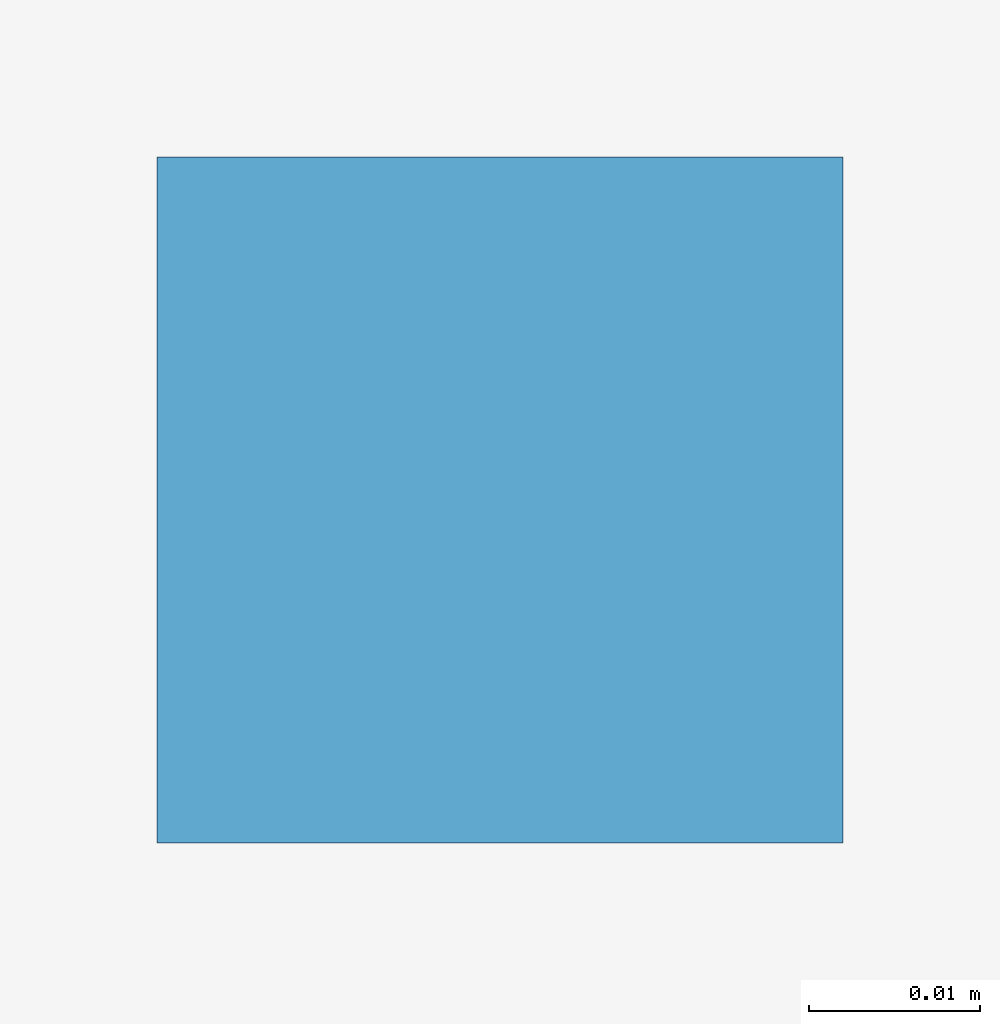
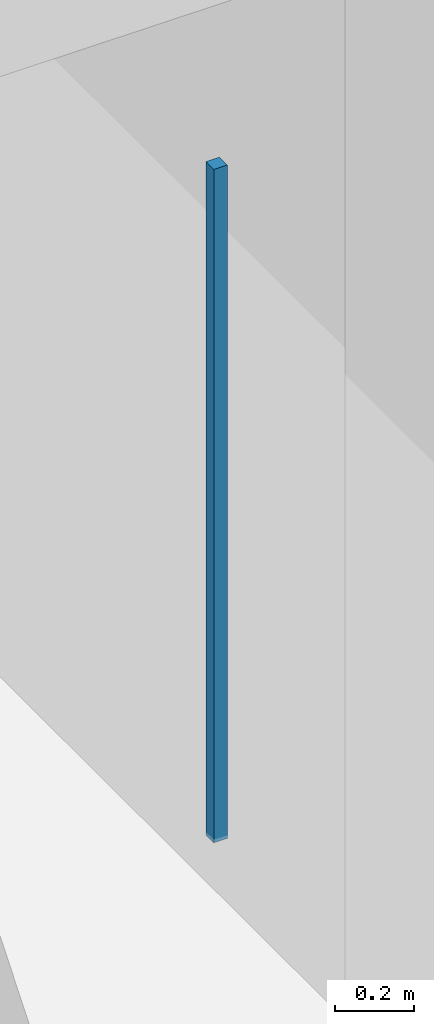
# One storey, part 134 of 157: 1 discrete accessory.
"""IFC4 building model written with IfcOpenShell, lengths in metres."""

from ifc_helpers import new_model, si_unit, direction, frame, origin, origin_2d, place, context, subcontext, project, spatial, rectangle, extrude, material, type_object, element, save


model = new_model("IFC4")

# Units and contexts
model_context = context("Model", 3, precision=1e-05, world=origin(), true_north=direction((0.0, 1.0)))
body_context = subcontext(model_context, "Body", "Model", "MODEL_VIEW")
ifc_project = project(units=[si_unit("LENGTHUNIT", "METRE"), si_unit("AREAUNIT", "SQUARE_METRE"), si_unit("VOLUMEUNIT", "CUBIC_METRE"), si_unit("PLANEANGLEUNIT", "RADIAN"), si_unit("MASSUNIT", "GRAM", prefix="KILO")], contexts=[model_context])

# Site, building, storey
site_placement = place(None, origin())
site = spatial("IfcSite", under=ifc_project, at=site_placement, CompositionType="ELEMENT")
building_placement = place(site_placement, origin())
building = spatial("IfcBuilding", under=site, at=building_placement, Name="Varncliffe General Hospital", CompositionType="ELEMENT")
storey_placement = place(building_placement, frame((0.0, 0.0, 5.39990234375)))
storey = spatial("IfcBuildingStorey", under=building, at=storey_placement, Name="L01", CompositionType="ELEMENT", Elevation=5.39990234375)

# Discrete accessory
ifc_material = material(Name="Powder-coated hospital steel guardrail and handrail", Category="steel")
discrete_accessory_type = type_object("IfcDiscreteAccessoryType", Name="Suspended Ceiling Hanger Bracket CH01", PredefinedType="BRACKET", material=ifc_material)
discrete_accessory_placement = place(storey_placement, frame((161.800048828125, 98.0, 3.18994140625), z_axis=(0.0, 0.0, 1.0), x_axis=(1.0, 0.0, 0.0)))
element("IfcDiscreteAccessory", 1, at=discrete_accessory_placement, inside=storey, type_object=discrete_accessory_type, Name="L01 Suspended Ceiling Hanger 118", PredefinedType="BRACKET", context=body_context, shape_type="SweptSolid", body=[
    extrude(rectangle(XDim=0.0400390625, YDim=0.0400390625, at=origin_2d()), origin(), (0.0, 0.0, 1.0), 2.090087890625),
])

save(model, "model.ifc")
